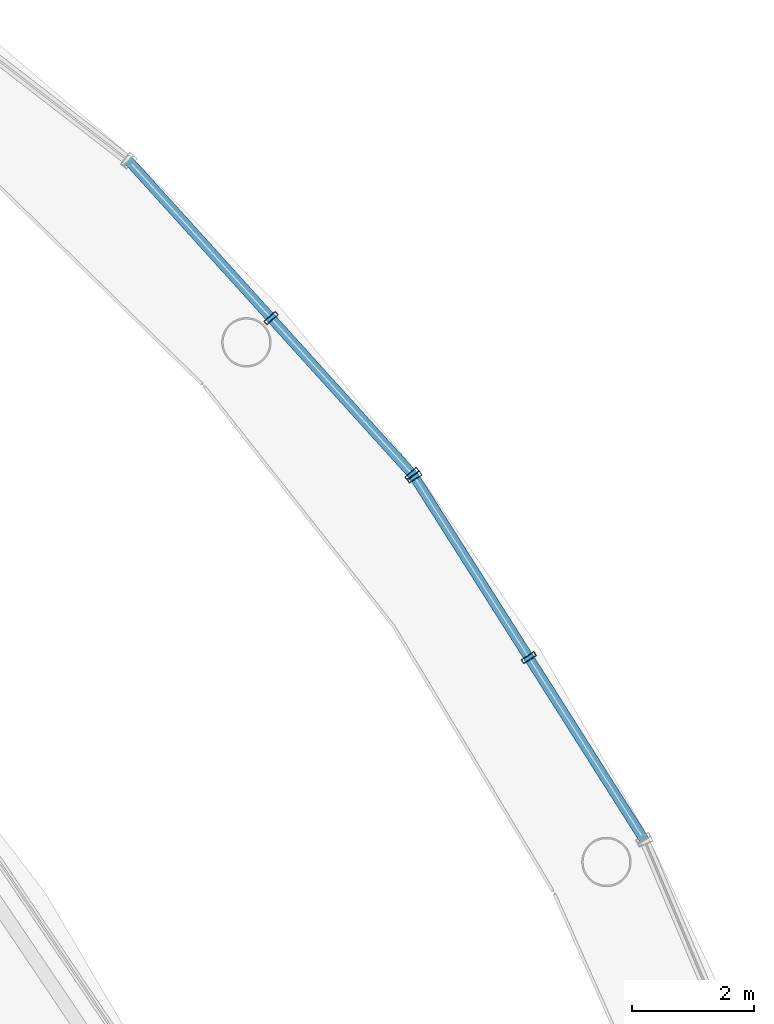
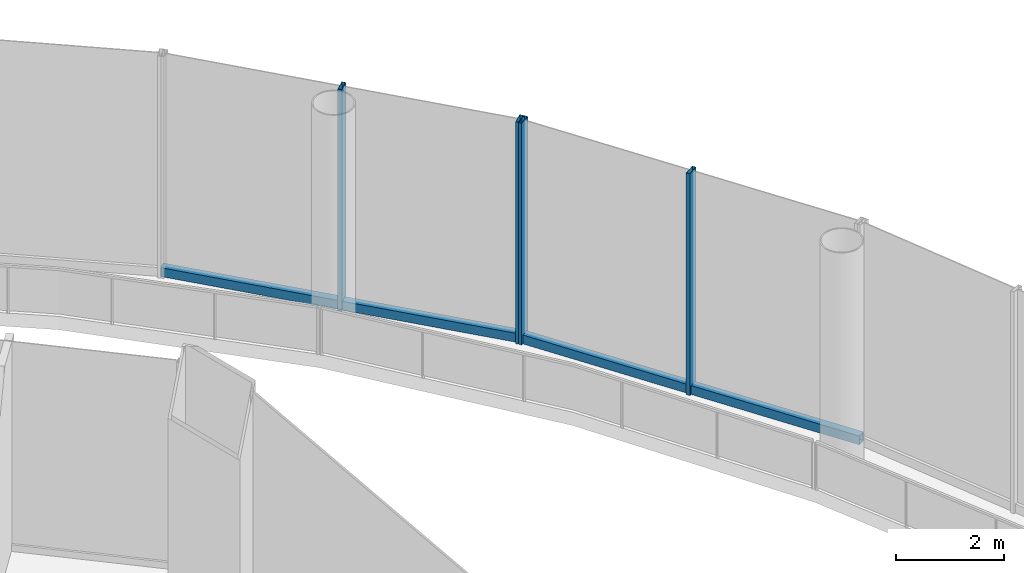
# One storey, part 38 of 47: 6 members, 2 elements without a shape of their own.
"""IFC4 building model written with IfcOpenShell, lengths in metres."""

from ifc_helpers import new_model, si_unit, direction, frame, origin, origin_2d, place, context, subcontext, project, spatial, hollow_rectangle, extrude, material, layer, layer_set, material_profile, profile_set, type_object, element, aggregate, save


model = new_model("IFC4")

# Units and contexts
model_context = context("Model", 3, precision=1e-05, world=origin(), true_north=direction((0.0, 1.0)))
body_context = subcontext(model_context, "Body", "Model", "MODEL_VIEW")
ifc_project = project(units=[si_unit("LENGTHUNIT", "METRE"), si_unit("AREAUNIT", "SQUARE_METRE"), si_unit("VOLUMEUNIT", "CUBIC_METRE"), si_unit("PLANEANGLEUNIT", "RADIAN"), si_unit("MASSUNIT", "GRAM", prefix="KILO")], contexts=[model_context])

# Site, building, storey
site_placement = place(None, origin())
site = spatial("IfcSite", under=ifc_project, at=site_placement, CompositionType="ELEMENT")
building_placement = place(site_placement, origin())
building = spatial("IfcBuilding", under=site, at=building_placement, Name="Nagisa Residences", CompositionType="ELEMENT")
storey_placement = place(building_placement, frame((0.0, 0.0, 7.0)))
storey = spatial("IfcBuildingStorey", under=building, at=storey_placement, Name="L01", CompositionType="ELEMENT", Elevation=7.0)

# Curtain wall, members
ifc_material_1 = material(Name="Stainless steel curtain wall system", Category="steel")
ifc_layer = layer(ifc_material_1, 0.159912109375)
ifc_layer_set = layer_set([ifc_layer], Name="CW3 CURTAIN WALL")
curtain_wall_type = type_object("IfcCurtainWallType", Name="CW3 CURTAIN WALL", PredefinedType="NOTDEFINED", material=ifc_layer_set)
curtain_wall_1_placement = place(storey_placement, origin())
curtain_wall_1 = element("IfcCurtainWall", 1, at=curtain_wall_1_placement, inside=storey, type_object=curtain_wall_type, Name="cw:CW3:L01:03", PredefinedType="NOTDEFINED")
ifc_material_2 = material(Name="Stainless steel", Category="steel")
ifc_material_profile_1 = material_profile(ifc_material_2, hollow_rectangle(XDim=0.25, YDim=0.080078125, WallThickness=0.008056640625, at=origin_2d()), Name="CW3 MULLION 250x80")
ifc_profile_set_1 = profile_set([ifc_material_profile_1], Name="Stainless steel")
member_type_1 = type_object("IfcMemberType", Name="CW3 MULLION 250x80", PredefinedType="MULLION", material=ifc_profile_set_1)
member_1_placement = place(storey_placement, frame((34.541748046875, 23.955810546875, 0.0), z_axis=(0.0, 0.0, 1.0), x_axis=(-0.844747368001, -0.535165286856, 0.0)))
member_1 = element("IfcMember", 2, at=member_1_placement, type_object=member_type_1, Name="CW3 mullion", PredefinedType="MULLION", context=body_context, shape_type="SweptSolid", body=[
    extrude(hollow_rectangle(XDim=0.25, YDim=0.080078125, WallThickness=0.008056640625, at=origin_2d()), origin(), (0.0, 0.0, 1.0), 5.0),
])
member_2_placement = place(storey_placement, frame((32.66357421875, 26.92041015625, 0.0), z_axis=(0.0, 0.0, 1.0), x_axis=(-0.844747368001, -0.535165286856, 0.0)))
member_2 = element("IfcMember", 3, at=member_2_placement, type_object=member_type_1, Name="CW3 mullion", PredefinedType="MULLION", context=body_context, shape_type="SweptSolid", body=[
    extrude(hollow_rectangle(XDim=0.25, YDim=0.080078125, WallThickness=0.008056640625, at=origin_2d()), origin(), (0.0, 0.0, 1.0), 5.0),
])

curtain_wall_2_placement = place(storey_placement, origin())
curtain_wall_2 = element("IfcCurtainWall", 4, at=curtain_wall_2_placement, inside=storey, type_object=curtain_wall_type, Name="cw:CW3:L01:04", PredefinedType="NOTDEFINED")
member_3_placement = place(storey_placement, frame((32.62353515625, 26.97314453125, 0.0), z_axis=(0.0, 0.0, 1.0), x_axis=(-0.741535779122, -0.670913323971, 0.0)))
member_3 = element("IfcMember", 5, at=member_3_placement, type_object=member_type_1, Name="CW3 mullion", PredefinedType="MULLION", context=body_context, shape_type="SweptSolid", body=[
    extrude(hollow_rectangle(XDim=0.25, YDim=0.080078125, WallThickness=0.008056640625, at=origin_2d()), origin(), (0.0, 0.0, 1.0), 5.0),
])
member_4_placement = place(storey_placement, frame((30.30859375, 29.53173828125, 0.0), z_axis=(0.0, 0.0, 1.0), x_axis=(-0.741535779122, -0.670913323971, 0.0)))
member_4 = element("IfcMember", 6, at=member_4_placement, type_object=member_type_1, Name="CW3 mullion", PredefinedType="MULLION", context=body_context, shape_type="SweptSolid", body=[
    extrude(hollow_rectangle(XDim=0.25, YDim=0.080078125, WallThickness=0.008056640625, at=origin_2d()), origin(), (0.0, 0.0, 1.0), 5.0),
])

# Member
ifc_material_3 = material(Name="Stainless steel", Category="steel")
ifc_material_profile_2 = material_profile(ifc_material_3, hollow_rectangle(XDim=0.159912109375, YDim=0.199951171875, WallThickness=0.008056640625, at=origin_2d()), Name="CW3 TRANSOM 160x200")
ifc_profile_set_2 = profile_set([ifc_material_profile_2], Name="Stainless steel")
member_type_2 = type_object("IfcMemberType", Name="CW3 TRANSOM 160x200", PredefinedType="USERDEFINED", material=ifc_profile_set_2)
member_5_placement = place(storey_placement, frame((36.44140625, 20.957275390625, 0.10009765625), z_axis=(-0.535169889444, 0.844744452147, 0.0), x_axis=(-0.844744452147, -0.535169889444, 0.0)))
member_5 = element("IfcMember", 7, at=member_5_placement, type_object=member_type_2, Name="CW3 transom", ObjectType="TRANSOM", PredefinedType="USERDEFINED", context=body_context, shape_type="SweptSolid", body=[
    extrude(hollow_rectangle(XDim=0.159912109375, YDim=0.199951171875, WallThickness=0.008056640625, at=origin_2d()), origin(), (0.0, 0.0, 1.0), 7.099365234375),
])

aggregate(curtain_wall_1, [member_1, member_2, member_5])

member_6_placement = place(storey_placement, frame((32.650390625, 26.943359375, 0.10009765625), z_axis=(-0.670921565259, 0.741528322635, 0.0), x_axis=(-0.741528322635, -0.670921565259, 0.0)))
member_6 = element("IfcMember", 8, at=member_6_placement, type_object=member_type_2, Name="CW3 transom", ObjectType="TRANSOM", PredefinedType="USERDEFINED", context=body_context, shape_type="SweptSolid", body=[
    extrude(hollow_rectangle(XDim=0.159912109375, YDim=0.199951171875, WallThickness=0.008056640625, at=origin_2d()), origin(), (0.0, 0.0, 1.0), 6.981201171875),
])

aggregate(curtain_wall_2, [member_3, member_4, member_6])

save(model, "model.ifc")
